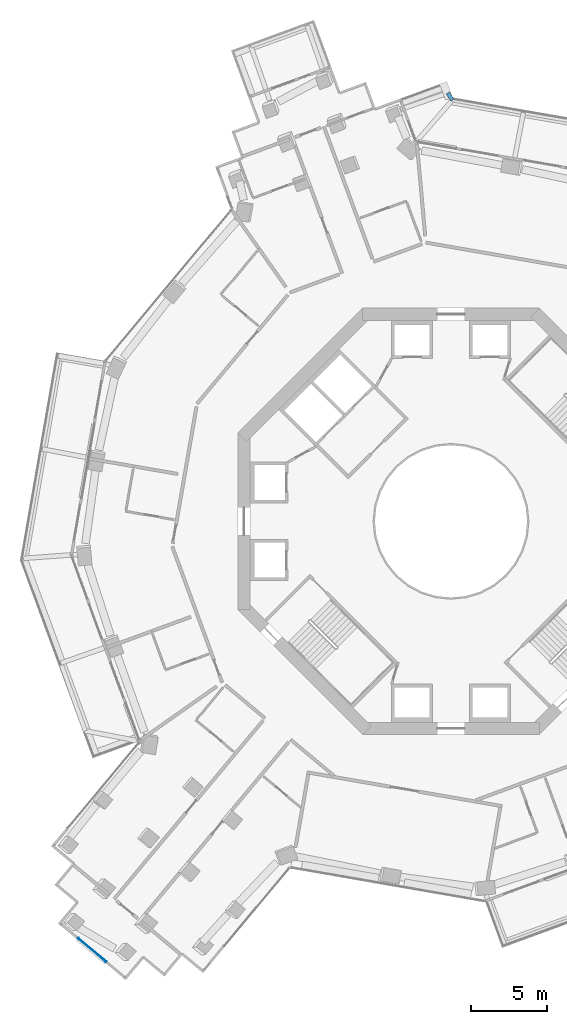
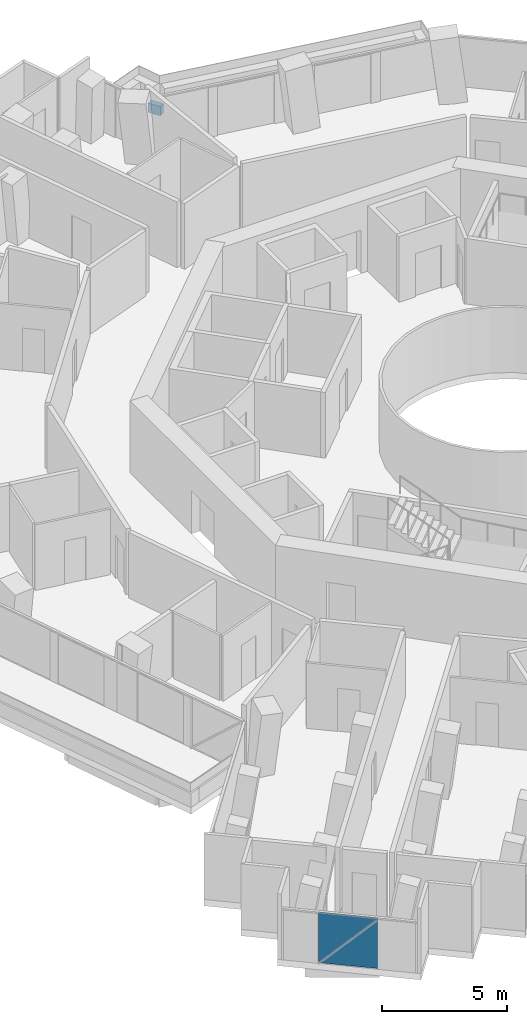
# One storey, part 10 of 24: 2 plates, 1 beam, 1 element without a shape of its own.
"""IFC4 building model written with IfcOpenShell, lengths in metres."""

from ifc_helpers import new_model, si_unit, direction, frame, origin, origin_2d, place, context, subcontext, project, spatial, polyline, rectangle, outline, extrude, material, layer, layer_set, material_profile, profile_set, type_object, element, aggregate, save


model = new_model("IFC4")

# Units and contexts
model_context = context("Model", 3, precision=1e-05, world=origin(), true_north=direction((0.0, 1.0)))
body_context = subcontext(model_context, "Body", "Model", "MODEL_VIEW")
ifc_project = project(units=[si_unit("LENGTHUNIT", "METRE"), si_unit("AREAUNIT", "SQUARE_METRE"), si_unit("VOLUMEUNIT", "CUBIC_METRE"), si_unit("PLANEANGLEUNIT", "RADIAN"), si_unit("MASSUNIT", "GRAM", prefix="KILO")], contexts=[model_context])

# Site, building, storey
site_placement = place(None, origin())
site = spatial("IfcSite", under=ifc_project, at=site_placement, CompositionType="ELEMENT")
building_placement = place(site_placement, origin())
building = spatial("IfcBuilding", under=site, at=building_placement, Name="Verdalira Terraces Hotel", CompositionType="ELEMENT")
storey_placement = place(building_placement, frame((0.0, 0.0, 115.0)))
storey = spatial("IfcBuildingStorey", under=building, at=storey_placement, Name="L27", CompositionType="ELEMENT", Elevation=115.0)

# Beam
ifc_material_1 = material(Name="Concrete C40", Category="concrete")
ifc_material_profile = material_profile(ifc_material_1, rectangle(XDim=0.25, YDim=0.449951, at=origin_2d()), Name="RC 250X450")
ifc_profile_set = profile_set([ifc_material_profile], Name="Concrete C40")
beam_type = type_object("IfcBeamType", Name="Balcony edge beam RC 250X450 C40", PredefinedType="BEAM", material=ifc_profile_set)
beam_placement = place(storey_placement, frame((0.091309, 27.678467, -0.534912), z_axis=(-0.548840864, 0.835926854, 0.0), x_axis=(-0.835926854, -0.548840864, 0.0)))
element("IfcBeam", 1, at=beam_placement, inside=storey, type_object=beam_type, Name="Balcony edge beam R41-3", PredefinedType="BEAM", context=body_context, shape_type="SweptSolid", body=[
    extrude(rectangle(XDim=0.25, YDim=0.449951, at=origin_2d()), origin(), (0.0, 0.0, 1.0), 0.549316),
])

# Curtain wall, plates
ifc_material_2 = material(Name="Clear glass", Category="glass")
ifc_layer_1 = layer(ifc_material_2, 0.14990234375)
ifc_layer_set_1 = layer_set([ifc_layer_1], Name="CW3 curtain wall")
curtain_wall_type = type_object("IfcCurtainWallType", Name="CW3 curtain wall", PredefinedType="NOTDEFINED", material=ifc_layer_set_1)
curtain_wall_placement = place(storey_placement, origin())
curtain_wall = element("IfcCurtainWall", 2, at=curtain_wall_placement, inside=storey, type_object=curtain_wall_type, Name="CW3 curtain wall L27 edge 19", PredefinedType="NOTDEFINED")
ifc_material_3 = material(Name="Clear glass", Category="glass")
ifc_layer_2 = layer(ifc_material_3, 0.035888671875)
ifc_layer_set_2 = layer_set([ifc_layer_2], Name="CW3 glass unit 36")
plate_type = type_object("IfcPlateType", Name="CW3 glass unit 36", PredefinedType="CURTAIN_PANEL", material=ifc_layer_set_2)
plate_1_placement = place(storey_placement, frame((-23.568115, -28.164795, 1.212402), z_axis=(-0.640645907, -0.767836456, 0.0), x_axis=(0.767836456, -0.640645907, 0.0)))
plate_1 = element("IfcPlate", 3, at=plate_1_placement, type_object=plate_type, Name="CW3 glass unit", PredefinedType="CURTAIN_PANEL", context=body_context, shape_type="SweptSolid", body=[
    extrude(outline(polyline([(-1.202881, -1.212402), (1.202881, -1.212402), (1.202881, 1.212402), (-1.202881, -1.212402)])), origin(), (0.0, 0.0, 1.0), 0.035889),
])
plate_2_placement = place(storey_placement, frame((-23.544434, -28.13623, 1.212402), z_axis=(-0.640645907, -0.767836456, 0.0), x_axis=(0.767836456, -0.640645907, 0.0)))
plate_2 = element("IfcPlate", 4, at=plate_2_placement, type_object=plate_type, Name="CW3 glass unit", PredefinedType="CURTAIN_PANEL", context=body_context, shape_type="SweptSolid", body=[
    extrude(outline(polyline([(-1.202881, -1.212402), (1.202881, 1.212402), (-1.202881, 1.212402), (-1.202881, -1.212402)])), origin(), (0.0, 0.0, 1.0), 0.035889),
])
aggregate(curtain_wall, [plate_1, plate_2])

save(model, "model.ifc")
